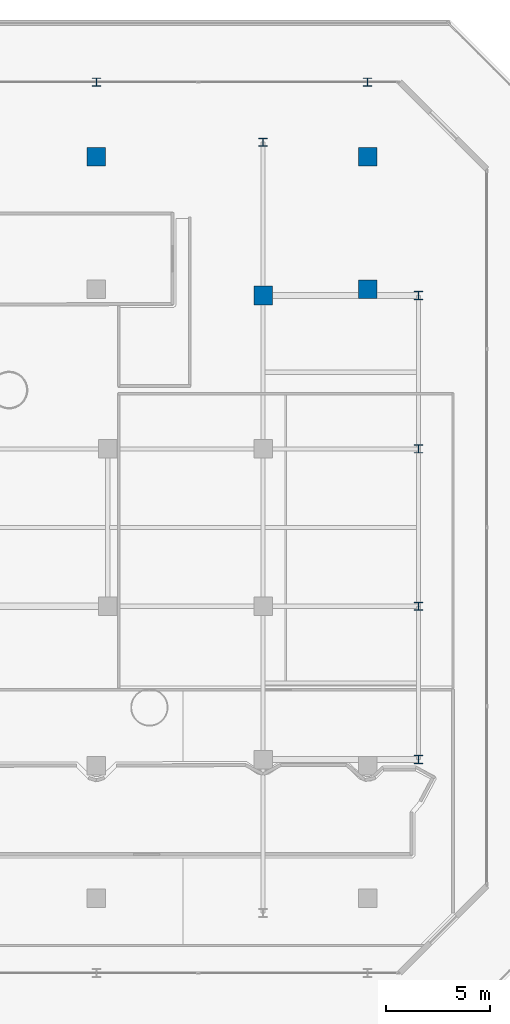
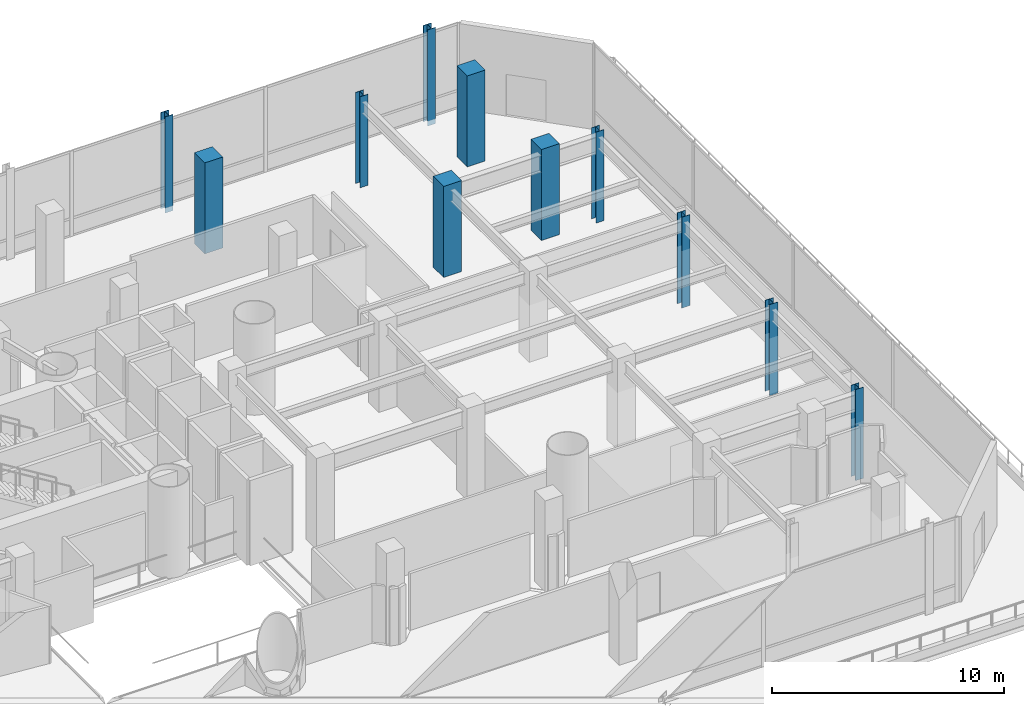
# One storey, part 4 of 39: 11 columns.
"""IFC4 building model written with IfcOpenShell, lengths in metres."""

from ifc_helpers import new_model, si_unit, direction, frame, origin, origin_2d, place, context, subcontext, project, spatial, rectangle, i_section, extrude, material, material_profile, profile_set, type_object, element, save


model = new_model("IFC4")

# Units and contexts
model_context = context("Model", 3, precision=1e-05, world=origin(), true_north=direction((0.0, 1.0)))
body_context = subcontext(model_context, "Body", "Model", "MODEL_VIEW")
ifc_project = project(units=[si_unit("LENGTHUNIT", "METRE"), si_unit("AREAUNIT", "SQUARE_METRE"), si_unit("VOLUMEUNIT", "CUBIC_METRE"), si_unit("PLANEANGLEUNIT", "RADIAN"), si_unit("MASSUNIT", "GRAM", prefix="KILO")], contexts=[model_context])

# Site, building, storey
site_placement = place(None, origin())
site = spatial("IfcSite", under=ifc_project, at=site_placement, CompositionType="ELEMENT")
building_placement = place(site_placement, origin())
building = spatial("IfcBuilding", under=site, at=building_placement, Name="Qianvela Tower", CompositionType="ELEMENT")
storey_placement = place(building_placement, frame((0.0, 0.0, 15.800048828125)))
storey = spatial("IfcBuildingStorey", under=building, at=storey_placement, Name="L03", CompositionType="ELEMENT", Elevation=15.800048828125)

# Columns
ifc_material_1 = material(Name="Steel Q355B", Category="steel")
ifc_material_profile_1 = material_profile(ifc_material_1, i_section(OverallWidth=0.39990234375, OverallDepth=0.39990234375, WebThickness=0.012939453125, FlangeThickness=0.02099609375, at=origin_2d()), Name="HW400x400x13x21")
ifc_profile_set_1 = profile_set([ifc_material_profile_1], Name="Steel Q355B")
column_type_1 = type_object("IfcColumnType", Name="COL-HW-400", PredefinedType="COLUMN", material=ifc_profile_set_1)
for number, where, z_axis, x_axis, name in (
    (1, (60.0, 44.60009765625, 0.0), (0.0, 0.0, 1.0), (1.0, 0.0, 0.0), "L03 Podium Grid Column P43"),
    (2, (67.5, 14.800048828125, 0.0), (0.0, 0.0, 1.0), (1.0, 0.0, 0.0), "L03 Podium Grid Column P44"),
    (3, (67.5, 22.199951171875, 0.0), (0.0, 0.0, 1.0), (1.0, 0.0, 0.0), "L03 Podium Grid Column P45"),
    (4, (67.5, 29.800048828125, 0.0), (0.0, 0.0, 1.0), (1.0, 0.0, 0.0), "L03 Podium Grid Column P46"),
    (5, (67.5, 37.199951171875, 0.0), (0.0, 0.0, 1.0), (1.0, 0.0, 0.0), "L03 Podium Grid Column P47"),
):
    element("IfcColumn", number, at=place(storey_placement, frame(where, z_axis=z_axis, x_axis=x_axis)), inside=storey, type_object=column_type_1, Name=name, PredefinedType="COLUMN", context=body_context, shape_type="SweptSolid", body=[
        extrude(i_section(OverallWidth=0.39990234375, OverallDepth=0.39990234375, WebThickness=0.012939453125, FlangeThickness=0.02099609375, at=origin_2d()), origin(), (0.0, 0.0, 1.0), 4.800048828125),
    ])
for number, where, z_axis, x_axis, name in (
    (6, (51.955322265625, 47.5, -0.27001953125), (0.0, 0.0, 1.0), (1.0, 0.0, 0.0), "L03 V-Column Transfer Post VC-N3-L"),
    (7, (65.044677734375, 47.5, -0.27001953125), (0.0, 0.0, 1.0), (1.0, 0.0, 0.0), "L03 V-Column Transfer Post VC-N3-R"),
):
    element("IfcColumn", number, at=place(storey_placement, frame(where, z_axis=z_axis, x_axis=x_axis)), inside=storey, type_object=column_type_1, Name=name, PredefinedType="COLUMN", context=body_context, shape_type="SweptSolid", body=[
        extrude(i_section(OverallWidth=0.39990234375, OverallDepth=0.39990234375, WebThickness=0.012939453125, FlangeThickness=0.02099609375, at=origin_2d()), origin(), (0.0, 0.0, 1.0), 5.070068359375),
    ])
ifc_material_2 = material(Name="Concrete C60", Category="concrete")
ifc_material_profile_2 = material_profile(ifc_material_2, rectangle(XDim=0.89990234375, YDim=0.89990234375, at=origin_2d()), Name="RC-COL-900x900")
ifc_profile_set_2 = profile_set([ifc_material_profile_2], Name="Concrete C60")
column_type_2 = type_object("IfcColumnType", Name="COL-RC-900", PredefinedType="COLUMN", material=ifc_profile_set_2)
for number, where, z_axis, x_axis, name in (
    (8, (51.955322265625, 43.89990234375, 0.0), (0.0, 0.0, 1.0), (1.0, 0.0, 0.0), "L03 Concourse Colonnade Column VC-N3-L-B1"),
    (9, (65.044677734375, 43.89990234375, 0.0), (0.0, 0.0, 1.0), (1.0, 0.0, 0.0), "L03 Concourse Colonnade Column VC-N3-R-B1"),
    (10, (65.044677734375, 37.5, 0.0), (0.0, 0.0, 1.0), (1.0, 0.0, 0.0), "L03 Concourse Colonnade Column VC-N3-R-B2"),
    (11, (60.0, 37.199951171875, 0.0), (0.0, 0.0, 1.0), (1.0, 0.0, 0.0), "L03 Podium Grid Column P42"),
):
    element("IfcColumn", number, at=place(storey_placement, frame(where, z_axis=z_axis, x_axis=x_axis)), inside=storey, type_object=column_type_2, Name=name, PredefinedType="COLUMN", context=body_context, shape_type="SweptSolid", body=[
        extrude(rectangle(XDim=0.89990234375, YDim=0.89990234375, at=origin_2d()), origin(), (0.0, 0.0, 1.0), 4.800048828125),
    ])

save(model, "model.ifc")
